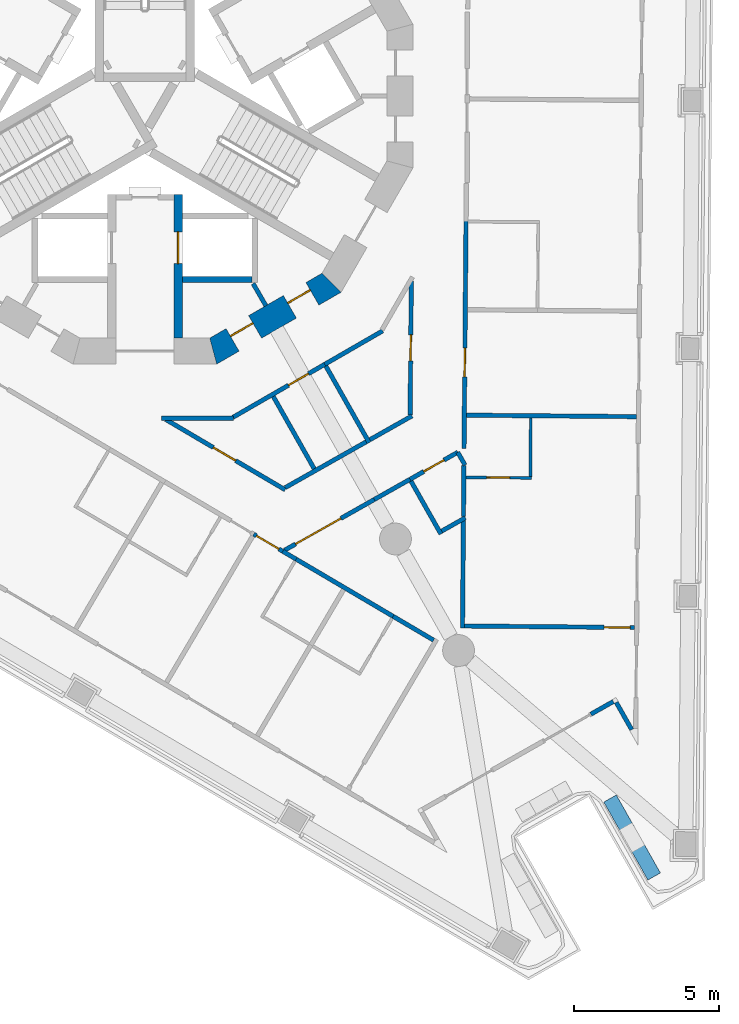
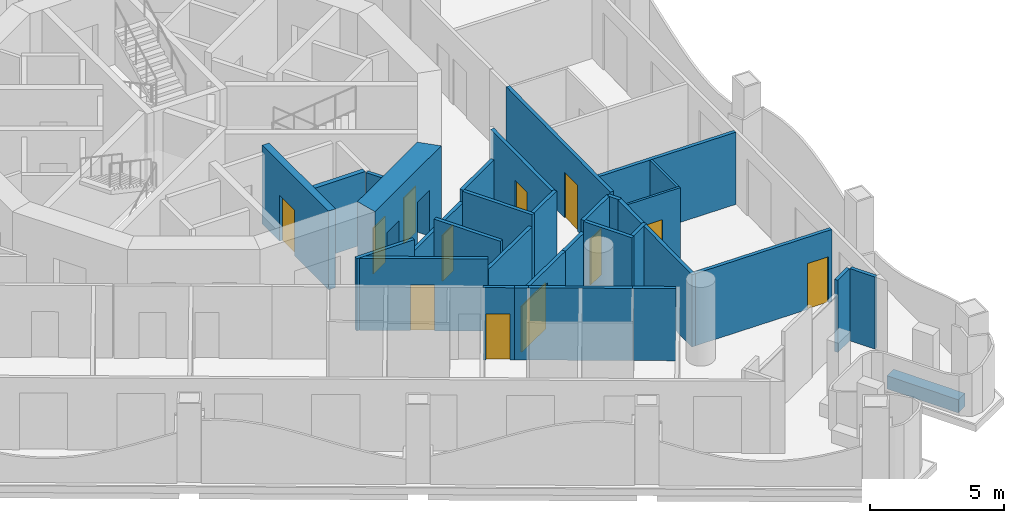
# One storey, part 5 of 18: 33 walls, 12 doors, 12 openings.
"""IFC4 building model written with IfcOpenShell, lengths in metres."""

from ifc_helpers import new_model, si_unit, direction, frame, frame_2d, origin, place, context, subcontext, project, spatial, polyline, rectangle, outline, extrude, material, layer, layer_set, type_object, element, fill, save


model = new_model("IFC4")

# Units and contexts
model_context = context("Model", 3, precision=1e-05, world=origin(), true_north=direction((0.0, 1.0)))
body_context = subcontext(model_context, "Body", "Model", "MODEL_VIEW")
ifc_project = project(units=[si_unit("LENGTHUNIT", "METRE"), si_unit("AREAUNIT", "SQUARE_METRE"), si_unit("VOLUMEUNIT", "CUBIC_METRE"), si_unit("PLANEANGLEUNIT", "RADIAN"), si_unit("MASSUNIT", "GRAM", prefix="KILO")], contexts=[model_context])

# Site, building, storey
site_placement = place(None, origin())
site = spatial("IfcSite", under=ifc_project, at=site_placement, CompositionType="ELEMENT")
building_placement = place(site_placement, origin())
building = spatial("IfcBuilding", under=site, at=building_placement, Name="Trine Commons Tower", CompositionType="ELEMENT")
storey_placement = place(building_placement, frame((0.0, 0.0, 175.5)))
storey = spatial("IfcBuildingStorey", under=building, at=storey_placement, Name="L45", CompositionType="ELEMENT", Elevation=175.5)

# Walls
ifc_material_1 = material(Name="Plasterboard partition on steel studs", Category="steel")
ifc_layer_1 = layer(ifc_material_1, 0.14990234375)
ifc_layer_set_1 = layer_set([ifc_layer_1], Name="Plasterboard partition on steel studs")
wall_type_1 = type_object("IfcWallType", Name="Core room partition 150 mm, EI 60", PredefinedType="PARTITIONING", material=ifc_layer_set_1)
wall_1_placement = place(storey_placement, frame((84.18603515625, 55.2490234375, 0.0), z_axis=(0.0, 0.0, 1.0), x_axis=(-0.499890179513, 0.866088799389, 0.0)))
element("IfcWall", 1, at=wall_1_placement, inside=storey, type_object=wall_type_1, Name="Core room partition L45", PredefinedType="PARTITIONING", context=body_context, shape_type="SweptSolid", body=[
    extrude(rectangle(XDim=0.882080078125, YDim=0.14990234375, at=frame_2d((0.44091796875, 0.0))), origin(), (0.0, 0.0, 1.0), 3.300048828125),
])
ifc_material_2 = material(Name="Aluminium-framed insulated wall panel", Category="aluminium")
ifc_layer_2 = layer(ifc_material_2, 0.14990234375)
ifc_layer_set_2 = layer_set([ifc_layer_2], Name="Aluminium-framed insulated wall panel")
wall_type_2 = type_object("IfcWallType", Name="Glazed frame wall 150, EI 60", PredefinedType="SOLIDWALL", material=ifc_layer_set_2)
wall_2_placement = place(storey_placement, frame((96.91552734375, 40.450927734375, 0.0), z_axis=(0.0, 0.0, 1.0), x_axis=(-0.492439994984, 0.870346397327, 0.0)))
element("IfcWall", 2, at=wall_2_placement, inside=storey, type_object=wall_type_2, Name="Glazed frame wall R9", PredefinedType="SOLIDWALL", context=body_context, shape_type="SweptSolid", body=[
    extrude(outline(polyline([(0.1494140625, 0.074951171875), (0.1494140625, -0.074951171875), (1.235107421875, -0.074951171875), (1.235107421875, 0.074951171875), (0.1494140625, 0.074951171875)])), origin(), (0.0, 0.0, 1.0), 3.300048828125),
])
wall_3_placement = place(storey_placement, frame((96.30078125, 41.6083984375, 0.0), z_axis=(0.0, 0.0, 1.0), x_axis=(-0.870353598469, -0.492427267353, 0.0)))
element("IfcWall", 3, at=wall_3_placement, inside=storey, type_object=wall_type_2, Name="Glazed frame wall P3.1", PredefinedType="SOLIDWALL", context=body_context, shape_type="SweptSolid", body=[
    extrude(outline(polyline([(0.110107421875, -0.074951171875), (1.0, -0.074951171875), (1.0, 0.074951171875), (0.110107421875, 0.074951171875), (0.110107421875, -0.074951171875)])), origin(), (0.0, 0.0, 1.0), 3.300048828125),
])
ifc_material_3 = material(Name="Planter trough, precast concrete C40/50", Category="concrete")
ifc_layer_3 = layer(ifc_material_3, 0.5)
ifc_layer_set_3 = layer_set([ifc_layer_3], Name="Planter trough, precast concrete C40/50")
wall_type_3 = type_object("IfcWallType", Name="Planter trough 500x600", PredefinedType="PARAPET", material=ifc_layer_set_3)
wall_4_placement = place(storey_placement, frame((97.619384765625, 35.500732421875, 0.0), z_axis=(0.0, 0.0, 1.0), x_axis=(-0.492428288095, 0.870353020954, 0.0)))
element("IfcWall", 4, at=wall_4_placement, inside=storey, type_object=wall_type_3, Name="Planter 7", PredefinedType="PARAPET", context=body_context, shape_type="SweptSolid", body=[
    extrude(rectangle(XDim=3.10009765625, YDim=0.5, at=frame_2d((1.550048828125, 0.0))), origin(), (0.0, 0.0, 1.0), 0.60009765625),
])

# Wall, opening, door
ifc_material_4 = material(Name="Concrete C60/75", Category="concrete")
ifc_layer_4 = layer(ifc_material_4, 0.300048828125)
ifc_layer_set_4 = layer_set([ifc_layer_4], Name="Concrete C60/75")
wall_type_4 = type_object("IfcWallType", Name="RC shear wall 300 mm, C60/75", PredefinedType="SHEAR", material=ifc_layer_set_4)
wall_5_placement = place(storey_placement, frame((81.14990234375, 59.10009765625, 0.0), z_axis=(0.0, 0.0, 1.0), x_axis=(0.0, -1.0, 0.0)))
wall_5 = element("IfcWall", 5, at=wall_5_placement, inside=storey, type_object=wall_type_4, Name="Core cross wall SWB-04 L45", PredefinedType="SHEAR", context=body_context, shape_type="SweptSolid", body=[
    extrude(rectangle(XDim=4.97314453125, YDim=0.300048828125, at=frame_2d((2.486572265625, 0.0))), origin(), (0.0, 0.0, 1.0), 3.60009765625),
])
opening_1_placement = place(wall_5_placement, frame((1.300048828125, 0.0, 0.0)))
opening_1 = element("IfcOpeningElement", 6, at=opening_1_placement, cuts=wall_5, Name="Opening LD9", PredefinedType="OPENING", context=body_context, shape_type="SweptSolid", body=[
    extrude(rectangle(XDim=1.10009765625, YDim=2.10009765625, at=frame_2d((0.550048828125, 1.050048828125))), frame((0.0, 0.159912109375, 0.0), z_axis=(0.0, -1.0, 0.0), x_axis=(1.0, 0.0, 0.0)), (0.0, 0.0, 1.0), 0.320068359375),
])
ifc_material_5 = material(Name="Stainless steel sliding door leaves", Category="steel")
door_type_1 = type_object("IfcDoorType", Name="Lift landing door, centre-opening sliding 1100 x 2100, FD90", OperationType="DOUBLE_DOOR_SLIDING", PredefinedType="DOOR", material=ifc_material_5)
door_1_placement = place(opening_1_placement, origin())
door_1 = element("IfcDoor", 7, at=door_1_placement, inside=storey, type_object=door_type_1, Name="Lift landing door FF1 L45", OperationType="DOUBLE_DOOR_SLIDING", OverallHeight=2.10009765625, OverallWidth=1.10009765625, PredefinedType="DOOR", context=body_context, shape_type="SweptSolid", body=[
    extrude(rectangle(XDim=1.10009765625, YDim=2.10009765625, at=frame_2d((0.550048828125, 1.050048828125))), frame((0.0, 0.02490234375, 0.0), z_axis=(0.0, -1.0, 0.0), x_axis=(1.0, 0.0, 0.0)), (0.0, 0.0, 1.0), 0.050048828125),
])
fill(opening_1, door_1)

# Wall, openings, doors
ifc_layer_5 = layer(ifc_material_4, 0.89990234375)
ifc_layer_set_5 = layer_set([ifc_layer_5], Name="Concrete C60/75")
wall_type_5 = type_object("IfcWallType", Name="RC shear wall 900 mm, C60/75", PredefinedType="SHEAR", material=ifc_layer_set_5)
wall_6_placement = place(storey_placement, frame((82.259765625, 53.61669921875, 0.0), z_axis=(0.0, 0.0, 1.0), x_axis=(0.866003133579, 0.500038571144, 0.0)))
wall_6 = element("IfcWall", 8, at=wall_6_placement, inside=storey, type_object=wall_type_5, Name="Core wall CWE-11 L45", PredefinedType="SHEAR", context=body_context, shape_type="SweptSolid", body=[
    extrude(outline(polyline([(0.0, -0.449951171875), (4.96923828125, -0.449951171875), (4.72802734375, 0.449951171875), (0.2412109375, 0.449951171875), (0.0, -0.449951171875)])), origin(), (0.0, 0.0, 1.0), 3.60009765625),
])
opening_2_placement = place(wall_6_placement, frame((0.89501953125, 0.0, 0.0)))
opening_2 = element("IfcOpeningElement", 9, at=opening_2_placement, cuts=wall_6, Name="Opening K12.20", PredefinedType="OPENING", context=body_context, shape_type="SweptSolid", body=[
    extrude(rectangle(XDim=0.89990234375, YDim=2.10009765625, at=frame_2d((0.449951171875, 1.050048828125))), frame((0.0, 0.4599609375, 0.0), z_axis=(0.0, -1.0, 0.0), x_axis=(1.0, 0.0, 0.0)), (0.0, 0.0, 1.0), 0.919921875),
])
opening_3_placement = place(wall_6_placement, frame((3.18408203125, 0.0, 0.0)))
opening_3 = element("IfcOpeningElement", 10, at=opening_3_placement, cuts=wall_6, Name="Opening K12.21", PredefinedType="OPENING", context=body_context, shape_type="SweptSolid", body=[
    extrude(rectangle(XDim=0.89990234375, YDim=2.10009765625, at=frame_2d((0.449951171875, 1.050048828125))), frame((0.0, 0.4599609375, 0.0), z_axis=(0.0, -1.0, 0.0), x_axis=(1.0, 0.0, 0.0)), (0.0, 0.0, 1.0), 0.919921875),
])
ifc_material_6 = material(Name="Steel door leaf, fire-rated", Category="steel")
door_type_2 = type_object("IfcDoorType", Name="Core room door, single leaf 900 x 2100, FD30S", OperationType="SINGLE_SWING_LEFT", PredefinedType="DOOR", material=ifc_material_6)
door_2_placement = place(opening_2_placement, origin())
door_2 = element("IfcDoor", 11, at=door_2_placement, inside=storey, type_object=door_type_2, Name="Door to Accessible WC L45", OperationType="SINGLE_SWING_LEFT", OverallHeight=2.10009765625, OverallWidth=0.89990234375, PredefinedType="DOOR", context=body_context, shape_type="SweptSolid", body=[
    extrude(rectangle(XDim=0.89990234375, YDim=2.10009765625, at=frame_2d((0.449951171875, 1.050048828125))), frame((0.0, 0.1748046875, 0.0), z_axis=(0.0, -1.0, 0.0), x_axis=(1.0, 0.0, 0.0)), (0.0, 0.0, 1.0), 0.050048828125),
])
fill(opening_2, door_2)
door_3_placement = place(opening_3_placement, origin())
door_3 = element("IfcDoor", 12, at=door_3_placement, inside=storey, type_object=door_type_2, Name="Door to Linen store L45", OperationType="SINGLE_SWING_RIGHT", OverallHeight=2.10009765625, OverallWidth=0.89990234375, PredefinedType="DOOR", context=body_context, shape_type="SweptSolid", body=[
    extrude(rectangle(XDim=0.89990234375, YDim=2.10009765625, at=frame_2d((0.449951171875, 1.050048828125))), frame((0.0, 0.1748046875, 0.0), z_axis=(0.0, -1.0, 0.0), x_axis=(1.0, 0.0, 0.0)), (0.0, 0.0, 1.0), 0.050048828125),
])
fill(opening_3, door_3)

# Walls
ifc_material_7 = material(Name="Fire-rated gypsum shaft wall system")
ifc_layer_6 = layer(ifc_material_7, 0.199951171875)
ifc_layer_set_6 = layer_set([ifc_layer_6], Name="Fire-rated gypsum shaft wall system")
wall_type_6 = type_object("IfcWallType", Name="Shaft wall 200 mm, EI 120", PredefinedType="PARTITIONING", material=ifc_layer_set_6)
wall_7_placement = place(storey_placement, frame((81.300048828125, 56.14990234375, 0.0), z_axis=(0.0, 0.0, 1.0), x_axis=(1.0, 0.0, 0.0)))
element("IfcWall", 13, at=wall_7_placement, inside=storey, type_object=wall_type_6, Name="Shaft wall L45", PredefinedType="PARTITIONING", context=body_context, shape_type="SweptSolid", body=[
    extrude(rectangle(XDim=2.39990234375, YDim=0.199951171875, at=frame_2d((1.199951171875, 0.0))), origin(), (0.0, 0.0, 1.0), 3.300048828125),
])
ifc_material_8 = material(Name="Gypsum plasterboard on steel stud", Category="steel")
ifc_layer_7 = layer(ifc_material_8, 0.14990234375)
ifc_layer_set_7 = layer_set([ifc_layer_7], Name="Gypsum plasterboard on steel stud")
wall_type_7 = type_object("IfcWallType", Name="Unit and corridor wall 150 mm, EI 60", PredefinedType="PARTITIONING", material=ifc_layer_set_7)
wall_8_placement = place(storey_placement, frame((80.574951171875, 51.35205078125, 0.0), z_axis=(0.0, 0.0, 1.0), x_axis=(1.0, 0.0, 0.0)))
element("IfcWall", 14, at=wall_8_placement, inside=storey, type_object=wall_type_7, Name="Partition 069", PredefinedType="PARTITIONING", context=body_context, shape_type="SweptSolid", body=[
    extrude(rectangle(XDim=2.487060546875, YDim=0.14990234375, at=frame_2d((1.24365234375, 0.0))), origin(), (0.0, 0.0, 1.0), 3.300048828125),
])

# Wall, opening, door
wall_9_placement = place(storey_placement, frame((80.718505859375, 51.31396484375, 0.0), z_axis=(0.0, 0.0, 1.0), x_axis=(0.86168823453, -0.507438061711, 0.0)))
wall_9 = element("IfcWall", 15, at=wall_9_placement, inside=storey, type_object=wall_type_7, Name="Partition 070", PredefinedType="PARTITIONING", context=body_context, shape_type="SweptSolid", body=[
    extrude(rectangle(XDim=4.798828125, YDim=0.14990234375, at=frame_2d((2.3994140625, 0.0))), origin(), (0.0, 0.0, 1.0), 3.300048828125),
])
opening_4_placement = place(wall_9_placement, frame((1.911865234375, 0.0, 0.0)))
opening_4 = element("IfcOpeningElement", 16, at=opening_4_placement, cuts=wall_9, Name="Opening D-5B34", PredefinedType="OPENING", context=body_context, shape_type="SweptSolid", body=[
    extrude(rectangle(XDim=0.89990234375, YDim=2.10009765625, at=frame_2d((0.449951171875, 1.050048828125))), frame((0.0, 0.0849609375, 0.0), z_axis=(0.0, -1.0, 0.0), x_axis=(1.0, 0.0, 0.0)), (0.0, 0.0, 1.0), 0.169921875),
])
ifc_material_9 = material(Name="Timber fire door set", Category="wood")
door_type_3 = type_object("IfcDoorType", Name="Service door 900 x 2100, FD30S", OperationType="NOTDEFINED", PredefinedType="DOOR", material=ifc_material_9)
door_4_placement = place(opening_4_placement, origin())
door_4 = element("IfcDoor", 17, at=door_4_placement, inside=storey, type_object=door_type_3, Name="Door D-5B34", OperationType="SINGLE_SWING_LEFT", OverallHeight=2.10009765625, OverallWidth=0.89990234375, PredefinedType="DOOR", context=body_context, shape_type="SweptSolid", body=[
    extrude(rectangle(XDim=0.89990234375, YDim=2.10009765625, at=frame_2d((0.449951171875, 1.050048828125))), frame((0.0, 0.02490234375, 0.0), z_axis=(0.0, -1.0, 0.0), x_axis=(1.0, 0.0, 0.0)), (0.0, 0.0, 1.0), 0.050048828125),
])
fill(opening_4, door_4)

wall_10_placement = place(storey_placement, frame((83.052001953125, 51.389404296875, 0.0), z_axis=(0.0, 0.0, 1.0), x_axis=(0.865986833321, 0.500066800053, 0.0)))
wall_10 = element("IfcWall", 18, at=wall_10_placement, inside=storey, type_object=wall_type_7, Name="Partition 078", PredefinedType="PARTITIONING", context=body_context, shape_type="SweptSolid", body=[
    extrude(rectangle(XDim=3.74365234375, YDim=0.14990234375, at=frame_2d((1.871826171875, 0.0))), origin(), (0.0, 0.0, 1.0), 2.75),
])
opening_5_placement = place(wall_10_placement, frame((2.215087890625, 0.0, 0.0)))
opening_5 = element("IfcOpeningElement", 19, at=opening_5_placement, cuts=wall_10, Name="Opening D-5B37", PredefinedType="OPENING", context=body_context, shape_type="SweptSolid", body=[
    extrude(rectangle(XDim=0.800048828125, YDim=2.10009765625, at=frame_2d((0.39990234375, 1.050048828125))), frame((0.0, 0.0849609375, 0.0), z_axis=(0.0, -1.0, 0.0), x_axis=(1.0, 0.0, 0.0)), (0.0, 0.0, 1.0), 0.169921875),
])
ifc_material_10 = material(Name="Painted timber", Category="wood")
door_type_4 = type_object("IfcDoorType", Name="Toilet door 800 x 2100, NOT RATED", OperationType="NOTDEFINED", PredefinedType="DOOR", material=ifc_material_10)
door_5_placement = place(opening_5_placement, frame((0.800048828125, 0.0, 0.0), z_axis=(0.0, 0.0, 1.0), x_axis=(-1.0, 0.0, 0.0)))
door_5 = element("IfcDoor", 20, at=door_5_placement, inside=storey, type_object=door_type_4, Name="Door D-5B37", OperationType="SINGLE_SWING_LEFT", OverallHeight=2.10009765625, OverallWidth=0.800048828125, PredefinedType="DOOR", context=body_context, shape_type="SweptSolid", body=[
    extrude(rectangle(XDim=0.800048828125, YDim=2.10009765625, at=frame_2d((0.39990234375, 1.050048828125))), frame((0.0, 0.02490234375, 0.0), z_axis=(0.0, -1.0, 0.0), x_axis=(1.0, 0.0, 0.0)), (0.0, 0.0, 1.0), 0.050048828125),
])
fill(opening_5, door_5)

wall_11_placement = place(storey_placement, frame((83.76611328125, 47.343017578125, 0.0), z_axis=(0.0, 0.0, 1.0), x_axis=(0.861734818552, -0.507358948374, 0.0)))
wall_11 = element("IfcWall", 21, at=wall_11_placement, inside=storey, type_object=wall_type_7, Name="Partition 081", PredefinedType="PARTITIONING", context=body_context, shape_type="SweptSolid", body=[
    extrude(rectangle(XDim=1.1650390625, YDim=0.14990234375, at=frame_2d((0.58251953125, 0.0))), origin(), (0.0, 0.0, 1.0), 3.300048828125),
])
opening_6_placement = place(wall_11_placement, frame((0.109619140625, 0.0, 0.0)))
opening_6 = element("IfcOpeningElement", 22, at=opening_6_placement, cuts=wall_11, Name="Opening D-5B23", PredefinedType="OPENING", context=body_context, shape_type="SweptSolid", body=[
    extrude(rectangle(XDim=0.89990234375, YDim=2.10009765625, at=frame_2d((0.449951171875, 1.050048828125))), frame((0.0, 0.0849609375, 0.0), z_axis=(0.0, -1.0, 0.0), x_axis=(1.0, 0.0, 0.0)), (0.0, 0.0, 1.0), 0.169921875),
])
door_type_5 = type_object("IfcDoorType", Name="Bedroom door 900 x 2100, FD30S", OperationType="NOTDEFINED", PredefinedType="DOOR", material=ifc_material_9)
door_6_placement = place(opening_6_placement, frame((0.89990234375, 0.0, 0.0), z_axis=(0.0, 0.0, 1.0), x_axis=(-1.0, 0.0, 0.0)))
door_6 = element("IfcDoor", 23, at=door_6_placement, inside=storey, type_object=door_type_5, Name="Door D-5B23", OperationType="SINGLE_SWING_RIGHT", OverallHeight=2.10009765625, OverallWidth=0.89990234375, PredefinedType="DOOR", context=body_context, shape_type="SweptSolid", body=[
    extrude(rectangle(XDim=0.89990234375, YDim=2.10009765625, at=frame_2d((0.449951171875, 1.050048828125))), frame((0.0, 0.02490234375, 0.0), z_axis=(0.0, -1.0, 0.0), x_axis=(1.0, 0.0, 0.0)), (0.0, 0.0, 1.0), 0.050048828125),
])
fill(opening_6, door_6)

# Walls
wall_12_placement = place(storey_placement, frame((84.44384765625, 52.106689453125, 0.0), z_axis=(0.0, 0.0, 1.0), x_axis=(0.492499814097, -0.870312549096, 0.0)))
element("IfcWall", 24, at=wall_12_placement, inside=storey, type_object=wall_type_7, Name="Partition 088", PredefinedType="PARTITIONING", context=body_context, shape_type="SweptSolid", body=[
    extrude(rectangle(XDim=2.87158203125, YDim=0.14990234375, at=frame_2d((1.435791015625, 0.0))), origin(), (0.0, 0.0, 1.0), 3.300048828125),
])
wall_13_placement = place(storey_placement, frame((84.77001953125, 46.751953125, 0.0), z_axis=(0.0, 0.0, 1.0), x_axis=(0.861655023, -0.507494454491, 0.0)))
element("IfcWall", 25, at=wall_13_placement, inside=storey, type_object=wall_type_7, Name="Partition 089", PredefinedType="PARTITIONING", context=body_context, shape_type="SweptSolid", body=[
    extrude(rectangle(XDim=0.539794921875, YDim=0.14990234375, at=frame_2d((0.27001953125, 0.0))), origin(), (0.0, 0.0, 1.0), 3.300048828125),
])

# Wall, opening, door
wall_14_placement = place(storey_placement, frame((84.835205078125, 46.788818359375, 0.0), z_axis=(0.0, 0.0, 1.0), x_axis=(0.870381542182, 0.492377874228, 0.0)))
wall_14 = element("IfcWall", 26, at=wall_14_placement, inside=storey, type_object=wall_type_7, Name="Partition 090", PredefinedType="PARTITIONING", context=body_context, shape_type="SweptSolid", body=[
    extrude(rectangle(XDim=3.5625, YDim=0.14990234375, at=frame_2d((1.78125, 0.0))), origin(), (0.0, 0.0, 1.0), 2.75),
])
opening_7_placement = place(wall_14_placement, frame((0.435546875, 0.0, 0.0)))
opening_7 = element("IfcOpeningElement", 27, at=opening_7_placement, cuts=wall_14, Name="Opening D-5B02", PredefinedType="OPENING", context=body_context, shape_type="SweptSolid", body=[
    extrude(rectangle(XDim=1.800048828125, YDim=2.10009765625, at=frame_2d((0.89990234375, 1.050048828125))), frame((0.0, 0.0849609375, 0.0), z_axis=(0.0, -1.0, 0.0), x_axis=(1.0, 0.0, 0.0)), (0.0, 0.0, 1.0), 0.169921875),
])
door_type_6 = type_object("IfcDoorType", Name="Cluster entrance door 1800 x 2100, double leaf, FD30S", OperationType="DOUBLE_DOOR_DOUBLE_SWING", PredefinedType="DOOR", material=ifc_material_9)
door_7_placement = place(opening_7_placement, frame((1.800048828125, 0.0, 0.0), z_axis=(0.0, 0.0, 1.0), x_axis=(-1.0, 0.0, 0.0)))
door_7 = element("IfcDoor", 28, at=door_7_placement, inside=storey, type_object=door_type_6, Name="Door D-5B02", OperationType="DOUBLE_DOOR_DOUBLE_SWING", OverallHeight=2.10009765625, OverallWidth=1.800048828125, PredefinedType="DOOR", context=body_context, shape_type="SweptSolid", body=[
    extrude(rectangle(XDim=1.800048828125, YDim=2.10009765625, at=frame_2d((0.89990234375, 1.050048828125))), frame((0.0, 0.02490234375, 0.0), z_axis=(0.0, -1.0, 0.0), x_axis=(1.0, 0.0, 0.0)), (0.0, 0.0, 1.0), 0.050048828125),
])
fill(opening_7, door_7)

# Walls
wall_15_placement = place(storey_placement, frame((84.854248046875, 48.953857421875, 0.0), z_axis=(0.0, 0.0, 1.0), x_axis=(0.870456695911, 0.492245000527, 0.0)))
element("IfcWall", 29, at=wall_15_placement, inside=storey, type_object=wall_type_7, Name="Partition 091", PredefinedType="PARTITIONING", context=body_context, shape_type="SweptSolid", body=[
    extrude(rectangle(XDim=3.29931640625, YDim=0.14990234375, at=frame_2d((1.649658203125, 0.0))), origin(), (0.0, 0.0, 1.0), 2.75),
])
wall_16_placement = place(storey_placement, frame((85.22900390625, 46.48193359375, 0.0), z_axis=(0.0, 0.0, 1.0), x_axis=(0.861496973754, -0.507762704629, 0.0)))
element("IfcWall", 30, at=wall_16_placement, inside=storey, type_object=wall_type_7, Name="Partition 096", PredefinedType="PARTITIONING", context=body_context, shape_type="SweptSolid", body=[
    extrude(rectangle(XDim=3.9072265625, YDim=0.14990234375, at=frame_2d((1.95361328125, 0.0))), origin(), (0.0, 0.0, 1.0), 3.300048828125),
])
wall_17_placement = place(storey_placement, frame((86.222900390625, 53.219970703125, 0.0), z_axis=(0.0, 0.0, 1.0), x_axis=(0.866032668777, 0.499987416453, 0.0)))
element("IfcWall", 31, at=wall_17_placement, inside=storey, type_object=wall_type_7, Name="Partition 100", PredefinedType="PARTITIONING", context=body_context, shape_type="SweptSolid", body=[
    extrude(rectangle(XDim=2.31298828125, YDim=0.14990234375, at=frame_2d((1.156494140625, 0.0))), origin(), (0.0, 0.0, 1.0), 3.300048828125),
])
wall_18_placement = place(storey_placement, frame((86.262939453125, 53.15673828125, 0.0), z_axis=(0.0, 0.0, 1.0), x_axis=(0.492432966666, -0.870350373896, 0.0)))
element("IfcWall", 32, at=wall_18_placement, inside=storey, type_object=wall_type_7, Name="Partition 101", PredefinedType="PARTITIONING", context=body_context, shape_type="SweptSolid", body=[
    extrude(rectangle(XDim=3.0400390625, YDim=0.14990234375, at=frame_2d((1.52001953125, 0.0))), origin(), (0.0, 0.0, 1.0), 3.300048828125),
])
wall_19_placement = place(storey_placement, frame((87.785400390625, 50.61181640625, 0.0), z_axis=(0.0, 0.0, 1.0), x_axis=(0.870416092443, 0.492316794368, 0.0)))
element("IfcWall", 33, at=wall_19_placement, inside=storey, type_object=wall_type_7, Name="Partition 106", PredefinedType="PARTITIONING", context=body_context, shape_type="SweptSolid", body=[
    extrude(rectangle(XDim=1.673583984375, YDim=0.14990234375, at=frame_2d((0.8369140625, 0.0))), origin(), (0.0, 0.0, 1.0), 3.300048828125),
])
wall_20_placement = place(storey_placement, frame((87.93603515625, 48.54296875, 0.0), z_axis=(0.0, 0.0, 1.0), x_axis=(0.870505283706, 0.492159070871, 0.0)))
element("IfcWall", 34, at=wall_20_placement, inside=storey, type_object=wall_type_7, Name="Partition 108", PredefinedType="PARTITIONING", context=body_context, shape_type="SweptSolid", body=[
    extrude(rectangle(XDim=1.422119140625, YDim=0.14990234375, at=frame_2d((0.7109375, 0.0))), origin(), (0.0, 0.0, 1.0), 2.75),
])
wall_21_placement = place(storey_placement, frame((88.589111328125, 44.501953125, 0.0), z_axis=(0.0, 0.0, 1.0), x_axis=(0.861613540122, -0.507564880068, 0.0)))
element("IfcWall", 35, at=wall_21_placement, inside=storey, type_object=wall_type_7, Name="Partition 112", PredefinedType="PARTITIONING", context=body_context, shape_type="SweptSolid", body=[
    extrude(rectangle(XDim=1.625244140625, YDim=0.14990234375, at=frame_2d((0.8125, 0.0))), origin(), (0.0, 0.0, 1.0), 3.300048828125),
])

# Wall, opening, door
wall_22_placement = place(storey_placement, frame((89.16796875, 49.239013671875, 0.0), z_axis=(0.0, 0.0, 1.0), x_axis=(0.870049645281, 0.492964111013, 0.0)))
wall_22 = element("IfcWall", 36, at=wall_22_placement, inside=storey, type_object=wall_type_7, Name="Partition 114", PredefinedType="PARTITIONING", context=body_context, shape_type="SweptSolid", body=[
    extrude(rectangle(XDim=1.90673828125, YDim=0.14990234375, at=frame_2d((0.953369140625, 0.0))), origin(), (0.0, 0.0, 1.0), 3.300048828125),
])
opening_8_placement = place(wall_22_placement, frame((0.553466796875, 0.0, 0.0)))
opening_8 = element("IfcOpeningElement", 37, at=opening_8_placement, cuts=wall_22, Name="Opening D-5B04", PredefinedType="OPENING", context=body_context, shape_type="SweptSolid", body=[
    extrude(rectangle(XDim=0.800048828125, YDim=2.10009765625, at=frame_2d((0.39990234375, 1.050048828125))), frame((0.0, 0.0849609375, 0.0), z_axis=(0.0, -1.0, 0.0), x_axis=(1.0, 0.0, 0.0)), (0.0, 0.0, 1.0), 0.169921875),
])
door_8_placement = place(opening_8_placement, frame((0.800048828125, 0.0, 0.0), z_axis=(0.0, 0.0, 1.0), x_axis=(-1.0, 0.0, 0.0)))
door_8 = element("IfcDoor", 38, at=door_8_placement, inside=storey, type_object=door_type_4, Name="Door D-5B04", OperationType="SINGLE_SWING_LEFT", OverallHeight=2.10009765625, OverallWidth=0.800048828125, PredefinedType="DOOR", context=body_context, shape_type="SweptSolid", body=[
    extrude(rectangle(XDim=0.800048828125, YDim=2.10009765625, at=frame_2d((0.39990234375, 1.050048828125))), frame((0.0, 0.02490234375, 0.0), z_axis=(0.0, -1.0, 0.0), x_axis=(1.0, 0.0, 0.0)), (0.0, 0.0, 1.0), 0.050048828125),
])
fill(opening_8, door_8)

# Wall
wall_23_placement = place(storey_placement, frame((89.2080078125, 49.17578125, 0.0), z_axis=(0.0, 0.0, 1.0), x_axis=(0.492490202922, -0.870317987879, 0.0)))
element("IfcWall", 39, at=wall_23_placement, inside=storey, type_object=wall_type_7, Name="Partition 115", PredefinedType="PARTITIONING", context=body_context, shape_type="SweptSolid", body=[
    extrude(rectangle(XDim=2.099365234375, YDim=0.14990234375, at=frame_2d((1.0498046875, 0.0))), origin(), (0.0, 0.0, 1.0), 3.300048828125),
])

# Wall, opening, door
wall_24_placement = place(storey_placement, frame((89.177490234375, 51.47412109375, 0.0), z_axis=(0.0, 0.0, 1.0), x_axis=(0.008609896903, 0.999962934151, 0.0)))
wall_24 = element("IfcWall", 40, at=wall_24_placement, inside=storey, type_object=wall_type_7, Name="Partition 116", PredefinedType="PARTITIONING", context=body_context, shape_type="SweptSolid", body=[
    extrude(rectangle(XDim=4.6220703125, YDim=0.14990234375, at=frame_2d((2.31103515625, 0.0))), origin(), (0.0, 0.0, 1.0), 3.300048828125),
])
opening_9_placement = place(wall_24_placement, frame((1.861083984375, 0.0, 0.0)))
opening_9 = element("IfcOpeningElement", 41, at=opening_9_placement, cuts=wall_24, Name="Opening D-5B32", PredefinedType="OPENING", context=body_context, shape_type="SweptSolid", body=[
    extrude(rectangle(XDim=0.89990234375, YDim=2.10009765625, at=frame_2d((0.449951171875, 1.050048828125))), frame((0.0, 0.0849609375, 0.0), z_axis=(0.0, -1.0, 0.0), x_axis=(1.0, 0.0, 0.0)), (0.0, 0.0, 1.0), 0.169921875),
])
door_9_placement = place(opening_9_placement, origin())
door_9 = element("IfcDoor", 42, at=door_9_placement, inside=storey, type_object=door_type_3, Name="Door D-5B32", OperationType="SINGLE_SWING_LEFT", OverallHeight=2.10009765625, OverallWidth=0.89990234375, PredefinedType="DOOR", context=body_context, shape_type="SweptSolid", body=[
    extrude(rectangle(XDim=0.89990234375, YDim=2.10009765625, at=frame_2d((0.449951171875, 1.050048828125))), frame((0.0, 0.02490234375, 0.0), z_axis=(0.0, -1.0, 0.0), x_axis=(1.0, 0.0, 0.0)), (0.0, 0.0, 1.0), 0.050048828125),
])
fill(opening_9, door_9)

# Walls
wall_25_placement = place(storey_placement, frame((90.270263671875, 47.450927734375, 0.0), z_axis=(0.0, 0.0, 1.0), x_axis=(0.870538616766, 0.492100108432, 0.0)))
element("IfcWall", 43, at=wall_25_placement, inside=storey, type_object=wall_type_7, Name="Partition 118", PredefinedType="PARTITIONING", context=body_context, shape_type="SweptSolid", body=[
    extrude(rectangle(XDim=0.938720703125, YDim=0.14990234375, at=frame_2d((0.46923828125, 0.0))), origin(), (0.0, 0.0, 1.0), 3.300048828125),
])
wall_26_placement = place(storey_placement, frame((90.823974609375, 50.177001953125, 0.0), z_axis=(0.0, 0.0, 1.0), x_axis=(0.493654600783, -0.869658056437, 0.0)))
element("IfcWall", 44, at=wall_26_placement, inside=storey, type_object=wall_type_7, Name="Partition 119", PredefinedType="PARTITIONING", context=body_context, shape_type="SweptSolid", body=[
    extrude(rectangle(XDim=0.50830078125, YDim=0.14990234375, at=frame_2d((0.254150390625, 0.0))), origin(), (0.0, 0.0, 1.0), 3.300048828125),
])
wall_27_placement = place(storey_placement, frame((90.98828125, 44.092041015625, 0.0), z_axis=(0.0, 0.0, 1.0), x_axis=(0.008789427608, 0.999961372235, 0.0)))
element("IfcWall", 45, at=wall_27_placement, inside=storey, type_object=wall_type_7, Name="Partition 120", PredefinedType="PARTITIONING", context=body_context, shape_type="SweptSolid", body=[
    extrude(rectangle(XDim=3.72216796875, YDim=0.14990234375, at=frame_2d((1.861083984375, 0.0))), origin(), (0.0, 0.0, 1.0), 3.300048828125),
])

# Wall, opening, door
wall_28_placement = place(storey_placement, frame((91.06396484375, 44.166259765625, 0.0), z_axis=(0.0, 0.0, 1.0), x_axis=(0.999962273479, -0.008686289076, 0.0)))
wall_28 = element("IfcWall", 46, at=wall_28_placement, inside=storey, type_object=wall_type_7, Name="Partition 121", PredefinedType="PARTITIONING", context=body_context, shape_type="SweptSolid", body=[
    extrude(rectangle(XDim=5.874267578125, YDim=0.14990234375, at=frame_2d((2.93701171875, 0.0))), origin(), (0.0, 0.0, 1.0), 3.300048828125),
])
opening_10_placement = place(wall_28_placement, frame((4.82421875, 0.0, 0.0)))
opening_10 = element("IfcOpeningElement", 47, at=opening_10_placement, cuts=wall_28, Name="Opening D-5B21", PredefinedType="OPENING", context=body_context, shape_type="SweptSolid", body=[
    extrude(rectangle(XDim=0.89990234375, YDim=2.10009765625, at=frame_2d((0.449951171875, 1.050048828125))), frame((0.0, 0.0849609375, 0.0), z_axis=(0.0, -1.0, 0.0), x_axis=(1.0, 0.0, 0.0)), (0.0, 0.0, 1.0), 0.169921875),
])
door_10_placement = place(opening_10_placement, origin())
door_10 = element("IfcDoor", 48, at=door_10_placement, inside=storey, type_object=door_type_5, Name="Door D-5B21", OperationType="SINGLE_SWING_RIGHT", OverallHeight=2.10009765625, OverallWidth=0.89990234375, PredefinedType="DOOR", context=body_context, shape_type="SweptSolid", body=[
    extrude(rectangle(XDim=0.89990234375, YDim=2.10009765625, at=frame_2d((0.449951171875, 1.050048828125))), frame((0.0, 0.02490234375, 0.0), z_axis=(0.0, -1.0, 0.0), x_axis=(1.0, 0.0, 0.0)), (0.0, 0.0, 1.0), 0.050048828125),
])
fill(opening_10, door_10)

# Wall
wall_29_placement = place(storey_placement, frame((91.022705078125, 47.950927734375, 0.0), z_axis=(0.0, 0.0, 1.0), x_axis=(0.008256220588, 0.99996591683, 0.0)))
element("IfcWall", 49, at=wall_29_placement, inside=storey, type_object=wall_type_7, Name="Partition 122", PredefinedType="PARTITIONING", context=body_context, shape_type="SweptSolid", body=[
    extrude(rectangle(XDim=1.774169921875, YDim=0.14990234375, at=frame_2d((0.88720703125, 0.0))), origin(), (0.0, 0.0, 1.0), 3.300048828125),
])

# Wall, opening, door
wall_30_placement = place(storey_placement, frame((91.0419921875, 50.300048828125, 0.0), z_axis=(0.0, 0.0, 1.0), x_axis=(0.008763202243, 0.999961602406, 0.0)))
wall_30 = element("IfcWall", 50, at=wall_30_placement, inside=storey, type_object=wall_type_7, Name="Partition 124", PredefinedType="PARTITIONING", context=body_context, shape_type="SweptSolid", body=[
    extrude(rectangle(XDim=7.912109375, YDim=0.14990234375, at=frame_2d((3.9560546875, 0.0))), origin(), (0.0, 0.0, 1.0), 3.300048828125),
])
opening_11_placement = place(wall_30_placement, frame((2.484619140625, 0.0, 0.0)))
opening_11 = element("IfcOpeningElement", 51, at=opening_11_placement, cuts=wall_30, Name="Opening D-5B20", PredefinedType="OPENING", context=body_context, shape_type="SweptSolid", body=[
    extrude(rectangle(XDim=1.0, YDim=2.10009765625, at=frame_2d((0.5, 1.050048828125))), frame((0.0, 0.0849609375, 0.0), z_axis=(0.0, -1.0, 0.0), x_axis=(1.0, 0.0, 0.0)), (0.0, 0.0, 1.0), 0.169921875),
])
door_type_7 = type_object("IfcDoorType", Name="Amenity room door 1000 x 2100, NOT RATED", OperationType="NOTDEFINED", PredefinedType="DOOR", material=ifc_material_10)
door_11_placement = place(opening_11_placement, frame((1.0, 0.0, 0.0), z_axis=(0.0, 0.0, 1.0), x_axis=(-1.0, 0.0, 0.0)))
door_11 = element("IfcDoor", 52, at=door_11_placement, inside=storey, type_object=door_type_7, Name="Door D-5B20", OperationType="SINGLE_SWING_RIGHT", OverallHeight=2.10009765625, OverallWidth=1.0, PredefinedType="DOOR", context=body_context, shape_type="SweptSolid", body=[
    extrude(rectangle(XDim=1.0, YDim=2.10009765625, at=frame_2d((0.5, 1.050048828125))), frame((0.0, 0.02490234375, 0.0), z_axis=(0.0, -1.0, 0.0), x_axis=(1.0, 0.0, 0.0)), (0.0, 0.0, 1.0), 0.050048828125),
])
fill(opening_11, door_11)

# Wall
wall_31_placement = place(storey_placement, frame((91.126953125, 51.460205078125, 0.0), z_axis=(0.0, 0.0, 1.0), x_axis=(0.999962273479, -0.008686289076, 0.0)))
element("IfcWall", 53, at=wall_31_placement, inside=storey, type_object=wall_type_7, Name="Partition 125", PredefinedType="PARTITIONING", context=body_context, shape_type="SweptSolid", body=[
    extrude(rectangle(XDim=5.874267578125, YDim=0.14990234375, at=frame_2d((2.93701171875, 0.0))), origin(), (0.0, 0.0, 1.0), 3.300048828125),
])

# Wall, opening, door
ifc_layer_8 = layer(ifc_material_8, 0.10009765625)
ifc_layer_set_8 = layer_set([ifc_layer_8], Name="Gypsum plasterboard on steel stud")
wall_type_8 = type_object("IfcWallType", Name="Unit partition 100 mm, no rating", PredefinedType="PARTITIONING", material=ifc_layer_set_8)
wall_32_placement = place(storey_placement, frame((91.10888671875, 49.311279296875, 0.0), z_axis=(0.0, 0.0, 1.0), x_axis=(0.999958404904, -0.009120770943, 0.0)))
wall_32 = element("IfcWall", 54, at=wall_32_placement, inside=storey, type_object=wall_type_8, Name="Partition 123", PredefinedType="PARTITIONING", context=body_context, shape_type="SweptSolid", body=[
    extrude(rectangle(XDim=2.275146484375, YDim=0.10009765625, at=frame_2d((1.1376953125, 0.0))), origin(), (0.0, 0.0, 1.0), 3.300048828125),
])
opening_12_placement = place(wall_32_placement, frame((0.71240234375, 0.0, 0.0)))
opening_12 = element("IfcOpeningElement", 55, at=opening_12_placement, cuts=wall_32, Name="Opening D-5B52", PredefinedType="OPENING", context=body_context, shape_type="SweptSolid", body=[
    extrude(rectangle(XDim=0.800048828125, YDim=2.10009765625, at=frame_2d((0.39990234375, 1.050048828125))), frame((0.0, 0.06005859375, 0.0), z_axis=(0.0, -1.0, 0.0), x_axis=(1.0, 0.0, 0.0)), (0.0, 0.0, 1.0), 0.1201171875),
])
door_type_8 = type_object("IfcDoorType", Name="Internal door 800 x 2100, NOT RATED", OperationType="NOTDEFINED", PredefinedType="DOOR", material=ifc_material_10)
door_12_placement = place(opening_12_placement, frame((0.800048828125, 0.0, 0.0), z_axis=(0.0, 0.0, 1.0), x_axis=(-1.0, 0.0, 0.0)))
door_12 = element("IfcDoor", 56, at=door_12_placement, inside=storey, type_object=door_type_8, Name="Door D-5B52", OperationType="SINGLE_SWING_RIGHT", OverallHeight=2.10009765625, OverallWidth=0.800048828125, PredefinedType="DOOR", context=body_context, shape_type="SweptSolid", body=[
    extrude(rectangle(XDim=0.800048828125, YDim=2.10009765625, at=frame_2d((0.39990234375, 1.050048828125))), frame((0.0, 0.02490234375, 0.0), z_axis=(0.0, -1.0, 0.0), x_axis=(1.0, 0.0, 0.0)), (0.0, 0.0, 1.0), 0.050048828125),
])
fill(opening_12, door_12)

# Wall
wall_33_placement = place(storey_placement, frame((93.33447265625, 49.341064453125, 0.0), z_axis=(0.0, 0.0, 1.0), x_axis=(0.008318979066, 0.999965396695, 0.0)))
element("IfcWall", 57, at=wall_33_placement, inside=storey, type_object=wall_type_8, Name="Partition 144", PredefinedType="PARTITIONING", context=body_context, shape_type="SweptSolid", body=[
    extrude(rectangle(XDim=2.02490234375, YDim=0.10009765625, at=frame_2d((1.012451171875, 0.0))), origin(), (0.0, 0.0, 1.0), 3.300048828125),
])

save(model, "model.ifc")
